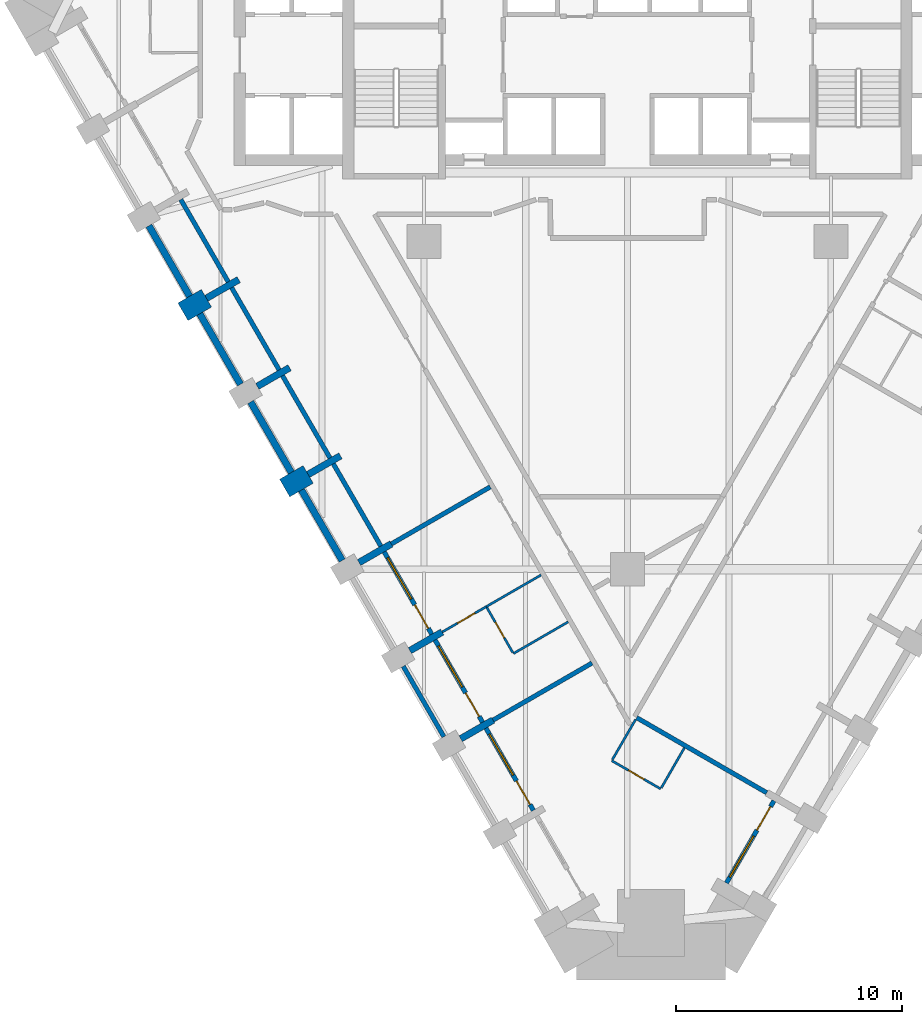
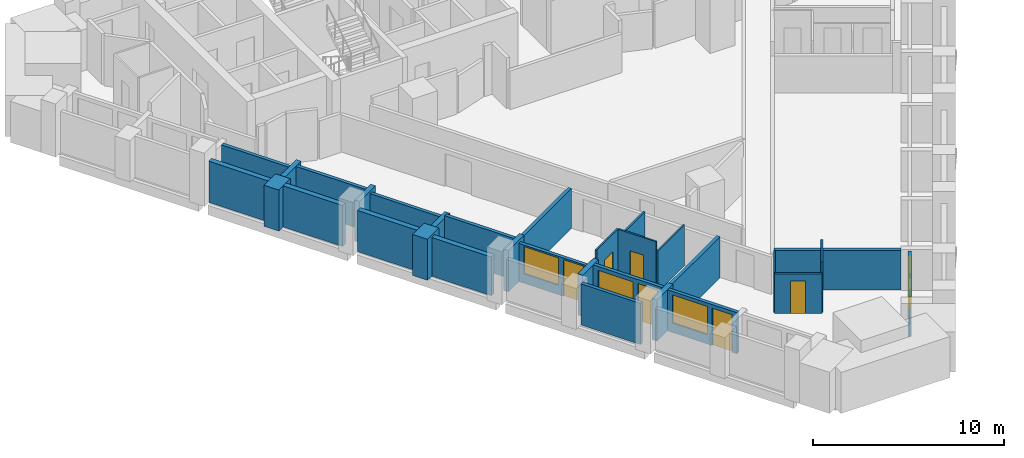
# One storey, part 3 of 10: 31 walls, 7 doors, 4 windows, 11 openings.
"""IFC4 building model written with IfcOpenShell, lengths in metres."""

from ifc_helpers import new_model, si_unit, direction, frame, frame_2d, origin, place, context, subcontext, project, spatial, rectangle, extrude, material, layer, layer_set, type_object, element, fill, save


model = new_model("IFC4")

# Units and contexts
model_context = context("Model", 3, precision=1e-05, world=origin(), true_north=direction((0.0, 1.0)))
body_context = subcontext(model_context, "Body", "Model", "MODEL_VIEW")
ifc_project = project(units=[si_unit("LENGTHUNIT", "METRE"), si_unit("AREAUNIT", "SQUARE_METRE"), si_unit("VOLUMEUNIT", "CUBIC_METRE"), si_unit("PLANEANGLEUNIT", "RADIAN"), si_unit("MASSUNIT", "GRAM", prefix="KILO")], contexts=[model_context])

# Site, building, storey
site_placement = place(None, origin())
site = spatial("IfcSite", under=ifc_project, at=site_placement, CompositionType="ELEMENT")
building_placement = place(site_placement, origin())
building = spatial("IfcBuilding", under=site, at=building_placement, Name="Calabash Gate Tower", CompositionType="ELEMENT")
storey_placement = place(building_placement, frame((0.0, 0.0, 102.0)))
storey = spatial("IfcBuildingStorey", under=building, at=storey_placement, Name="L22", CompositionType="ELEMENT", Elevation=102.0)

# Walls
ifc_material_1 = material(Name="Terracotta brick masonry, exposed face", Category="masonry")
ifc_layer_1 = layer(ifc_material_1, 1.199951171875)
ifc_layer_set_1 = layer_set([ifc_layer_1], Name="Brick end wall 1200")
wall_type_1 = type_object("IfcWallType", Name="Brick end wall 1200", PredefinedType="SOLIDWALL", material=ifc_layer_set_1)
wall_1_placement = place(storey_placement, frame((-19.659423828125, -0.613525390625, 0.0), z_axis=(0.0, 0.0, 1.0), x_axis=(0.866043267704, 0.499969057507, 0.0)))
element("IfcWall", 1, at=wall_1_placement, inside=storey, type_object=wall_type_1, Name="Brick pier S06 SW0.3", PredefinedType="SOLIDWALL", context=body_context, shape_type="SweptSolid", body=[
    extrude(rectangle(XDim=1.19970703125, YDim=0.89990234375, at=frame_2d((0.599853515625, 0.0))), origin(), (0.0, 0.0, 1.0), 2.6298828125),
])
wall_2_placement = place(storey_placement, frame((-14.120361328125, -7.807861328125, 0.0), z_axis=(0.0, 0.0, 1.0), x_axis=(-0.865955154139, -0.50012165622, 0.0)))
element("IfcWall", 2, at=wall_2_placement, inside=storey, type_object=wall_type_1, Name="Brick pier S06 SW0.5", PredefinedType="SOLIDWALL", context=body_context, shape_type="SweptSolid", body=[
    extrude(rectangle(XDim=1.199951171875, YDim=0.89990234375, at=frame_2d((0.60009765625, 0.0))), origin(), (0.0, 0.0, 1.0), 2.6298828125),
])
ifc_material_2 = material(Name="Terracotta brick masonry, exposed face", Category="masonry")
ifc_layer_2 = layer(ifc_material_2, 0.300048828125)
ifc_layer_set_2 = layer_set([ifc_layer_2], Name="Brick infill panel wall 300")
wall_type_2 = type_object("IfcWallType", Name="Brick infill panel wall 300", PredefinedType="SOLIDWALL", material=ifc_layer_set_2)
wall_3_placement = place(storey_placement, frame((-21.164794921875, 3.193359375, 0.0), z_axis=(0.0, 0.0, 1.0), x_axis=(0.50001992892, -0.866013897511, 0.0)))
element("IfcWall", 3, at=wall_3_placement, inside=storey, type_object=wall_type_2, Name="Brick panel S06 SW0.3", PredefinedType="SOLIDWALL", context=body_context, shape_type="SweptSolid", body=[
    extrude(rectangle(XDim=3.599365234375, YDim=0.300048828125, at=frame_2d((1.7998046875, 0.0))), origin(), (0.0, 0.0, 1.0), 2.6298828125),
])
wall_4_placement = place(storey_placement, frame((-18.914794921875, -0.703369140625, 0.0), z_axis=(0.0, 0.0, 1.0), x_axis=(0.499961193289, -0.866047807691, 0.0)))
element("IfcWall", 4, at=wall_4_placement, inside=storey, type_object=wall_type_2, Name="Brick panel S06 SW0.4", PredefinedType="SOLIDWALL", context=body_context, shape_type="SweptSolid", body=[
    extrude(rectangle(XDim=3.599853515625, YDim=0.300048828125, at=frame_2d((1.7998046875, 0.0))), origin(), (0.0, 0.0, 1.0), 2.6298828125),
])
wall_5_placement = place(storey_placement, frame((-16.664794921875, -4.600341796875, 0.0), z_axis=(0.0, 0.0, 1.0), x_axis=(0.499931829785, -0.866064758299, 0.0)))
element("IfcWall", 5, at=wall_5_placement, inside=storey, type_object=wall_type_2, Name="Brick panel S06 SW0.5", PredefinedType="SOLIDWALL", context=body_context, shape_type="SweptSolid", body=[
    extrude(rectangle(XDim=3.60009765625, YDim=0.300048828125, at=frame_2d((1.800048828125, 0.0))), origin(), (0.0, 0.0, 1.0), 2.6298828125),
])
wall_6_placement = place(storey_placement, frame((-14.414794921875, -8.49755859375, 0.0), z_axis=(0.0, 0.0, 1.0), x_axis=(0.499984792966, -0.866034183392, 0.0)))
element("IfcWall", 6, at=wall_6_placement, inside=storey, type_object=wall_type_2, Name="Brick panel S06 SW0.6", PredefinedType="SOLIDWALL", context=body_context, shape_type="SweptSolid", body=[
    extrude(rectangle(XDim=3.59814453125, YDim=0.300048828125, at=frame_2d((1.799072265625, 0.0))), origin(), (0.0, 0.0, 1.0), 2.4736328125),
])
ifc_material_3 = material(Name="Terracotta brick masonry, exposed face", Category="masonry")
ifc_layer_3 = layer(ifc_material_3, 0.300048828125)
ifc_layer_set_3 = layer_set([ifc_layer_3], Name="Brick loggia cheek wall 300")
wall_type_3 = type_object("IfcWallType", Name="Brick loggia cheek wall 300", PredefinedType="SOLIDWALL", material=ifc_layer_set_3)
for number, where, z_axis, x_axis, name in (
    (7, (-18.620361328125, -0.013671875, 0.0), (0.0, 0.0, 1.0), (0.866040211805, 0.499974350878, 0.0), "Loggia cheek S06 SW0.3"),
    (8, (-16.370361328125, -3.91064453125, 0.0), (0.0, 0.0, 1.0), (0.866040211805, 0.499974350878, 0.0), "Loggia cheek S06 SW0.4"),
):
    element("IfcWall", number, at=place(storey_placement, frame(where, z_axis=z_axis, x_axis=x_axis)), inside=storey, type_object=wall_type_3, Name=name, PredefinedType="SOLIDWALL", context=body_context, shape_type="SweptSolid", body=[
        extrude(rectangle(XDim=1.64990234375, YDim=0.300048828125, at=frame_2d((0.824951171875, 0.0))), origin(), (0.0, 0.0, 1.0), 2.64990234375),
    ])
wall_7_placement = place(storey_placement, frame((-14.120361328125, -7.807861328125, 0.0), z_axis=(0.0, 0.0, 1.0), x_axis=(0.866040211805, 0.499974350878, 0.0)))
element("IfcWall", 9, at=wall_7_placement, inside=storey, type_object=wall_type_3, Name="Loggia cheek S06 SW0.5", PredefinedType="SOLIDWALL", context=body_context, shape_type="SweptSolid", body=[
    extrude(rectangle(XDim=1.64990234375, YDim=0.300048828125, at=frame_2d((0.824951171875, 0.0))), origin(), (0.0, 0.0, 1.0), 2.4736328125),
])
wall_8_placement = place(storey_placement, frame((-11.869384765625, -11.70458984375, 0.0), z_axis=(0.0, 0.0, 1.0), x_axis=(0.865956268984, 0.500119725873, 0.0)))
element("IfcWall", 10, at=wall_8_placement, inside=storey, type_object=wall_type_3, Name="Loggia cheek S06 SW0.6", PredefinedType="SOLIDWALL", context=body_context, shape_type="SweptSolid", body=[
    extrude(rectangle(XDim=1.64892578125, YDim=0.300048828125, at=frame_2d((0.824462890625, 0.0))), origin(), (0.0, 0.0, 1.0), 2.64990234375),
])
for number, where, z_axis, x_axis, name in (
    (11, (-9.620361328125, -15.60205078125, 0.0), (0.0, 0.0, 1.0), (0.866040211805, 0.499974350878, 0.0), "Loggia cheek S06 SW0.7"),
    (12, (-7.370361328125, -19.499267578125, 0.0), (0.0, 0.0, 1.0), (0.866040211805, 0.499974350878, 0.0), "Loggia cheek S06 SW0.8"),
):
    element("IfcWall", number, at=place(storey_placement, frame(where, z_axis=z_axis, x_axis=x_axis)), inside=storey, type_object=wall_type_3, Name=name, PredefinedType="SOLIDWALL", context=body_context, shape_type="SweptSolid", body=[
        extrude(rectangle(XDim=1.64990234375, YDim=0.300048828125, at=frame_2d((0.824951171875, 0.0))), origin(), (0.0, 0.0, 1.0), 2.64990234375),
    ])
ifc_material_4 = material(Name="Gypsum board on steel studs, mineral wool", Category="steel")
ifc_layer_4 = layer(ifc_material_4, 0.10009765625)
ifc_layer_set_4 = layer_set([ifc_layer_4], Name="Partition 100 gypsum board")
wall_type_4 = type_object("IfcWallType", Name="Partition 100 gypsum board", PredefinedType="PARTITIONING", material=ifc_layer_set_4)
wall_9_placement = place(storey_placement, frame((1.499755859375, -21.675048828125, 0.0), z_axis=(0.0, 0.0, 1.0), x_axis=(0.499303169309, 0.866427345551, 0.0)))
element("IfcWall", 13, at=wall_9_placement, inside=storey, type_object=wall_type_4, Name="Partition", PredefinedType="PARTITIONING", context=body_context, shape_type="SweptSolid", body=[
    extrude(rectangle(XDim=2.05029296875, YDim=0.10009765625, at=frame_2d((1.025146484375, 0.0))), origin(), (0.0, 0.0, 1.0), 3.22998046875),
])

# Wall, opening, door
wall_10_placement = place(storey_placement, frame((-0.690185546875, -20.46826171875, 0.0), z_axis=(0.0, 0.0, 1.0), x_axis=(0.866022959057, -0.500004234368, 0.0)))
wall_10 = element("IfcWall", 14, at=wall_10_placement, inside=storey, type_object=wall_type_4, Name="Partition", PredefinedType="PARTITIONING", context=body_context, shape_type="SweptSolid", body=[
    extrude(rectangle(XDim=2.5, YDim=0.10009765625, at=frame_2d((1.25, 0.0))), origin(), (0.0, 0.0, 1.0), 2.552001953125),
])
opening_1_placement = place(wall_10_placement, frame((0.85009765625, 0.0, 0.0)))
opening_1 = element("IfcOpeningElement", 15, at=opening_1_placement, cuts=wall_10, Name="Opening 22-24-011", PredefinedType="OPENING", context=body_context, shape_type="SweptSolid", body=[
    extrude(rectangle(XDim=0.800048828125, YDim=2.10009765625, at=frame_2d((0.39990234375, 1.050048828125))), frame((0.0, 0.06005859375, 0.0), z_axis=(0.0, -1.0, 0.0), x_axis=(1.0, 0.0, 0.0)), (0.0, 0.0, 1.0), 0.1201171875),
])
ifc_material_5 = material(Name="Painted timber door", Category="wood")
door_type_1 = type_object("IfcDoorType", Name="GD5 En-suite door 800x2100", OperationType="NOTDEFINED", PredefinedType="DOOR", material=ifc_material_5)
door_1_placement = place(opening_1_placement, origin())
door_1 = element("IfcDoor", 16, at=door_1_placement, inside=storey, type_object=door_type_1, Name="En-suite door", OperationType="SINGLE_SWING_RIGHT", OverallHeight=2.10009765625, OverallWidth=0.800048828125, PredefinedType="DOOR", context=body_context, shape_type="SweptSolid", body=[
    extrude(rectangle(XDim=0.800048828125, YDim=2.10009765625, at=frame_2d((0.39990234375, 1.050048828125))), frame((0.0, 0.02490234375, 0.0), z_axis=(0.0, -1.0, 0.0), x_axis=(1.0, 0.0, 0.0)), (0.0, 0.0, 1.0), 0.050048828125),
])
fill(opening_1, door_1)

# Walls
wall_11_placement = place(storey_placement, frame((-0.665283203125, -20.425048828125, 0.0), z_axis=(0.0, 0.0, 1.0), x_axis=(0.500646589026, 0.865651773461, 0.0)))
element("IfcWall", 17, at=wall_11_placement, inside=storey, type_object=wall_type_4, Name="Partition", PredefinedType="PARTITIONING", context=body_context, shape_type="SweptSolid", body=[
    extrude(rectangle(XDim=2.050048828125, YDim=0.10009765625, at=frame_2d((1.02490234375, 0.0))), origin(), (0.0, 0.0, 1.0), 2.552001953125),
])
wall_12_placement = place(storey_placement, frame((-5.042724609375, -15.730712890625, 0.0), z_axis=(0.0, 0.0, 1.0), x_axis=(0.865682875764, 0.500592807188, 0.0)))
element("IfcWall", 18, at=wall_12_placement, inside=storey, type_object=wall_type_4, Name="Partition", PredefinedType="PARTITIONING", context=body_context, shape_type="SweptSolid", body=[
    extrude(rectangle(XDim=2.7998046875, YDim=0.10009765625, at=frame_2d((1.39990234375, 0.0))), origin(), (0.0, 0.0, 1.0), 2.6279296875),
])

# Wall, opening, door
wall_13_placement = place(storey_placement, frame((-6.21533203125, -13.6962890625, 0.0), z_axis=(0.0, 0.0, 1.0), x_axis=(0.499418922955, -0.86636062895, 0.0)))
wall_13 = element("IfcWall", 19, at=wall_13_placement, inside=storey, type_object=wall_type_4, Name="Partition", PredefinedType="PARTITIONING", context=body_context, shape_type="SweptSolid", body=[
    extrude(rectangle(XDim=2.298095703125, YDim=0.10009765625, at=frame_2d((1.14892578125, 0.0))), origin(), (0.0, 0.0, 1.0), 3.22998046875),
])
opening_2_placement = place(wall_13_placement, frame((0.747802734375, 0.0, 0.0)))
opening_2 = element("IfcOpeningElement", 20, at=opening_2_placement, cuts=wall_13, Name="Opening 22-24-004", PredefinedType="OPENING", context=body_context, shape_type="SweptSolid", body=[
    extrude(rectangle(XDim=0.800048828125, YDim=2.10009765625, at=frame_2d((0.39990234375, 1.050048828125))), frame((0.0, 0.06005859375, 0.0), z_axis=(0.0, -1.0, 0.0), x_axis=(1.0, 0.0, 0.0)), (0.0, 0.0, 1.0), 0.1201171875),
])
door_2_placement = place(opening_2_placement, origin())
door_2 = element("IfcDoor", 21, at=door_2_placement, inside=storey, type_object=door_type_1, Name="En-suite door", OperationType="SINGLE_SWING_RIGHT", OverallHeight=2.10009765625, OverallWidth=0.800048828125, PredefinedType="DOOR", context=body_context, shape_type="SweptSolid", body=[
    extrude(rectangle(XDim=0.800048828125, YDim=2.10009765625, at=frame_2d((0.39990234375, 1.050048828125))), frame((0.0, 0.02490234375, 0.0), z_axis=(0.0, -1.0, 0.0), x_axis=(1.0, 0.0, 0.0)), (0.0, 0.0, 1.0), 0.050048828125),
])
fill(opening_2, door_2)

wall_14_placement = place(storey_placement, frame((-8.191162109375, -14.77734375, 0.0), z_axis=(0.0, 0.0, 1.0), x_axis=(0.866427577834, 0.499302766234, 0.0)))
wall_14 = element("IfcWall", 22, at=wall_14_placement, inside=storey, type_object=wall_type_4, Name="Partition", PredefinedType="PARTITIONING", context=body_context, shape_type="SweptSolid", body=[
    extrude(rectangle(XDim=2.249755859375, YDim=0.10009765625, at=frame_2d((1.125, 0.0))), origin(), (0.0, 0.0, 1.0), 3.22998046875),
])
opening_3_placement = place(wall_14_placement, frame((0.780029296875, 0.0, 0.0)))
opening_3 = element("IfcOpeningElement", 23, at=opening_3_placement, cuts=wall_14, Name="Opening 22-24-003", PredefinedType="OPENING", context=body_context, shape_type="SweptSolid", body=[
    extrude(rectangle(XDim=0.89990234375, YDim=2.10009765625, at=frame_2d((0.449951171875, 1.050048828125))), frame((0.0, 0.06005859375, 0.0), z_axis=(0.0, -1.0, 0.0), x_axis=(1.0, 0.0, 0.0)), (0.0, 0.0, 1.0), 0.1201171875),
])
ifc_material_6 = material(Name="Painted timber door", Category="wood")
door_type_2 = type_object("IfcDoorType", Name="GD7 Suite room door 900x2100", OperationType="NOTDEFINED", PredefinedType="DOOR", material=ifc_material_6)
door_3_placement = place(opening_3_placement, origin())
door_3 = element("IfcDoor", 24, at=door_3_placement, inside=storey, type_object=door_type_2, Name="Suite room door", OperationType="SINGLE_SWING_RIGHT", OverallHeight=2.10009765625, OverallWidth=0.89990234375, PredefinedType="DOOR", context=body_context, shape_type="SweptSolid", body=[
    extrude(rectangle(XDim=0.89990234375, YDim=2.10009765625, at=frame_2d((0.449951171875, 1.050048828125))), frame((0.0, 0.02490234375, 0.0), z_axis=(0.0, -1.0, 0.0), x_axis=(1.0, 0.0, 0.0)), (0.0, 0.0, 1.0), 0.050048828125),
])
fill(opening_3, door_3)

# Walls
wall_15_placement = place(storey_placement, frame((-6.240234375, -13.653076171875, 0.0), z_axis=(0.0, 0.0, 1.0), x_axis=(0.865995230276, 0.500052258409, 0.0)))
element("IfcWall", 25, at=wall_15_placement, inside=storey, type_object=wall_type_4, Name="Partition", PredefinedType="PARTITIONING", context=body_context, shape_type="SweptSolid", body=[
    extrude(rectangle(XDim=2.798095703125, YDim=0.10009765625, at=frame_2d((1.39892578125, 0.0))), origin(), (0.0, 0.0, 1.0), 2.6279296875),
])
ifc_material_7 = material(Name="Gypsum board on steel studs, mineral wool", Category="steel")
ifc_layer_5 = layer(ifc_material_7, 0.199951171875)
ifc_layer_set_5 = layer_set([ifc_layer_5], Name="Partition 200 gypsum board EI 60")
wall_type_5 = type_object("IfcWallType", Name="Partition 200 gypsum board EI 60", PredefinedType="PARTITIONING", material=ifc_layer_set_5)
wall_16_placement = place(storey_placement, frame((-5.941162109375, -18.674560546875, 0.0), z_axis=(0.0, 0.0, 1.0), x_axis=(0.866176731722, 0.499737800674, 0.0)))
element("IfcWall", 26, at=wall_16_placement, inside=storey, type_object=wall_type_5, Name="Partition", PredefinedType="PARTITIONING", context=body_context, shape_type="SweptSolid", body=[
    extrude(rectangle(XDim=5.049560546875, YDim=0.199951171875, at=frame_2d((2.52490234375, 0.0))), origin(), (0.0, 0.0, 1.0), 2.6279296875),
])
wall_17_placement = place(storey_placement, frame((0.408935546875, -18.564208984375, 0.0), z_axis=(0.0, 0.0, 1.0), x_axis=(0.866008881804, -0.500028615818, 0.0)))
element("IfcWall", 27, at=wall_17_placement, inside=storey, type_object=wall_type_5, Name="Partition", PredefinedType="PARTITIONING", context=body_context, shape_type="SweptSolid", body=[
    extrude(rectangle(XDim=6.6494140625, YDim=0.199951171875, at=frame_2d((3.32470703125, 0.0))), origin(), (0.0, 0.0, 1.0), 2.552001953125),
])
wall_18_placement = place(storey_placement, frame((-10.441162109375, -10.880126953125, 0.0), z_axis=(0.0, 0.0, 1.0), x_axis=(0.866188805601, 0.49971687289, 0.0)))
element("IfcWall", 28, at=wall_18_placement, inside=storey, type_object=wall_type_5, Name="Partition", PredefinedType="PARTITIONING", context=body_context, shape_type="SweptSolid", body=[
    extrude(rectangle(XDim=5.0498046875, YDim=0.199951171875, at=frame_2d((2.52490234375, 0.0))), origin(), (0.0, 0.0, 1.0), 2.552001953125),
])
ifc_material_8 = material(Name="Terracotta brick masonry, perforated", Category="masonry")
ifc_layer_6 = layer(ifc_material_8, 0.199951171875)
ifc_layer_set_6 = layer_set([ifc_layer_6], Name="Terracotta jaali screen B")
wall_type_6 = type_object("IfcWallType", Name="Terracotta jaali screen B", PredefinedType="SOLIDWALL", material=ifc_layer_set_6)
wall_19_placement = place(storey_placement, frame((-9.914794921875, -16.291748046875, 0.0), z_axis=(0.0, 0.0, 1.0), x_axis=(0.499961193289, -0.866047807691, 0.0)))
element("IfcWall", 29, at=wall_19_placement, inside=storey, type_object=wall_type_6, Name="SCREEN B S06 SW0.8", PredefinedType="SOLIDWALL", context=body_context, shape_type="SweptSolid", body=[
    extrude(rectangle(XDim=3.599853515625, YDim=0.199951171875, at=frame_2d((1.7998046875, 0.0))), origin(), (0.0, 0.0, 1.0), 2.6298828125),
])
ifc_material_9 = material(Name="Aluminium framed window wall with insulated spandrel", Category="aluminium")
ifc_layer_7 = layer(ifc_material_9, 0.199951171875)
ifc_layer_set_7 = layer_set([ifc_layer_7], Name="Window wall 200")
wall_type_7 = type_object("IfcWallType", Name="Window wall 200", PredefinedType="ELEMENTEDWALL", material=ifc_layer_set_7)
wall_20_placement = place(storey_placement, frame((-19.756103515625, 4.353515625, 0.0), z_axis=(0.0, 0.0, 1.0), x_axis=(0.500027713859, -0.866009402589, 0.0)))
element("IfcWall", 30, at=wall_20_placement, inside=storey, type_object=wall_type_7, Name="Window wall S06 SW0.3", PredefinedType="ELEMENTEDWALL", context=body_context, shape_type="SweptSolid", body=[
    extrude(rectangle(XDim=4.199951171875, YDim=0.199951171875, at=frame_2d((2.10009765625, 0.0))), origin(), (0.0, 0.0, 1.0), 2.4501953125),
])
wall_21_placement = place(storey_placement, frame((-17.506103515625, 0.45654296875, 0.0), z_axis=(0.0, 0.0, 1.0), x_axis=(0.500002543286, -0.866023935413, 0.0)))
element("IfcWall", 31, at=wall_21_placement, inside=storey, type_object=wall_type_7, Name="Window wall S06 SW0.4", PredefinedType="ELEMENTEDWALL", context=body_context, shape_type="SweptSolid", body=[
    extrude(rectangle(XDim=4.2001953125, YDim=0.199951171875, at=frame_2d((2.10009765625, 0.0))), origin(), (0.0, 0.0, 1.0), 2.64990234375),
])
wall_22_placement = place(storey_placement, frame((-15.256103515625, -3.440673828125, 0.0), z_axis=(0.0, 0.0, 1.0), x_axis=(0.500027713859, -0.866009402589, 0.0)))
element("IfcWall", 32, at=wall_22_placement, inside=storey, type_object=wall_type_7, Name="Window wall S06 SW0.5", PredefinedType="ELEMENTEDWALL", context=body_context, shape_type="SweptSolid", body=[
    extrude(rectangle(XDim=4.199951171875, YDim=0.199951171875, at=frame_2d((2.10009765625, 0.0))), origin(), (0.0, 0.0, 1.0), 2.4736328125),
])
wall_23_placement = place(storey_placement, frame((-13.006103515625, -7.337646484375, 0.0), z_axis=(0.0, 0.0, 1.0), x_axis=(0.500002543286, -0.866023935413, 0.0)))
element("IfcWall", 33, at=wall_23_placement, inside=storey, type_object=wall_type_7, Name="Window wall S06 SW0.6", PredefinedType="ELEMENTEDWALL", context=body_context, shape_type="SweptSolid", body=[
    extrude(rectangle(XDim=4.2001953125, YDim=0.199951171875, at=frame_2d((2.10009765625, 0.0))), origin(), (0.0, 0.0, 1.0), 2.64990234375),
])

# Wall, openings, door, window
wall_24_placement = place(storey_placement, frame((-10.756103515625, -11.23486328125, 0.0), z_axis=(0.0, 0.0, 1.0), x_axis=(0.500027713859, -0.866009402589, 0.0)))
wall_24 = element("IfcWall", 34, at=wall_24_placement, inside=storey, type_object=wall_type_7, Name="Window wall S06 SW0.7", PredefinedType="ELEMENTEDWALL", context=body_context, shape_type="SweptSolid", body=[
    extrude(rectangle(XDim=4.199951171875, YDim=0.199951171875, at=frame_2d((2.10009765625, 0.0))), origin(), (0.0, 0.0, 1.0), 2.4501953125),
])
opening_4_placement = place(wall_24_placement, frame((0.300048828125, 0.0, 0.60009765625)))
opening_4 = element("IfcOpeningElement", 35, at=opening_4_placement, cuts=wall_24, Name="Opening HW1L-1750", PredefinedType="OPENING", context=body_context, shape_type="SweptSolid", body=[
    extrude(rectangle(XDim=2.10009765625, YDim=1.75, at=frame_2d((1.050048828125, 0.875))), frame((0.0, 0.10986328125, 0.0), z_axis=(0.0, -1.0, 0.0), x_axis=(1.0, 0.0, 0.0)), (0.0, 0.0, 1.0), 0.219970703125),
])
opening_5_placement = place(wall_24_placement, frame((2.699951171875, 0.0, 0.0)))
opening_5 = element("IfcOpeningElement", 36, at=opening_5_placement, cuts=wall_24, Name="Opening H6-023", PredefinedType="OPENING", context=body_context, shape_type="SweptSolid", body=[
    extrude(rectangle(XDim=1.199951171875, YDim=2.35009765625, at=frame_2d((0.60009765625, 1.175048828125))), frame((0.0, 0.10986328125, 0.0), z_axis=(0.0, -1.0, 0.0), x_axis=(1.0, 0.0, 0.0)), (0.0, 0.0, 1.0), 0.219970703125),
])
ifc_material_10 = material(Name="Anodised aluminium frame, bronze finish, impact-rated laminated clear glazing", Category="aluminium")
door_type_3 = type_object("IfcDoorType", Name="Loggia door DH1L-2350 1200x2350", OperationType="SLIDING_TO_LEFT", PredefinedType="DOOR", material=ifc_material_10)
door_4_placement = place(opening_5_placement, origin())
door_4 = element("IfcDoor", 37, at=door_4_placement, inside=storey, type_object=door_type_3, Name="Loggia door S06 SW0.7", OperationType="SINGLE_SWING_LEFT", OverallHeight=2.35009765625, OverallWidth=1.199951171875, PredefinedType="DOOR", context=body_context, shape_type="SweptSolid", body=[
    extrude(rectangle(XDim=1.199951171875, YDim=2.35009765625, at=frame_2d((0.60009765625, 1.175048828125))), frame((0.0, 0.02490234375, 0.0), z_axis=(0.0, -1.0, 0.0), x_axis=(1.0, 0.0, 0.0)), (0.0, 0.0, 1.0), 0.050048828125),
])
fill(opening_5, door_4)
ifc_material_11 = material(Name="Anodised aluminium frame, bronze finish, impact-rated laminated clear glazing", Category="aluminium")
window_type_1 = type_object("IfcWindowType", Name="Window HW1L 2100x1750", PartitioningType="DOUBLE_PANEL_VERTICAL", PredefinedType="WINDOW", material=ifc_material_11)
window_1_placement = place(opening_4_placement, origin())
window_1 = element("IfcWindow", 38, at=window_1_placement, inside=storey, type_object=window_type_1, Name="Window HW1 S06 SW0.7", OverallHeight=1.75, OverallWidth=2.10009765625, PartitioningType="SINGLE_PANEL", PredefinedType="WINDOW", context=body_context, shape_type="SweptSolid", body=[
    extrude(rectangle(XDim=2.10009765625, YDim=1.75, at=frame_2d((1.050048828125, 0.875))), frame((0.0, 0.030029296875, 0.0), z_axis=(0.0, -1.0, 0.0), x_axis=(1.0, 0.0, 0.0)), (0.0, 0.0, 1.0), 0.06005859375),
])
fill(opening_4, window_1)

wall_25_placement = place(storey_placement, frame((-8.506103515625, -15.132080078125, 0.0), z_axis=(0.0, 0.0, 1.0), x_axis=(0.500027713859, -0.866009402589, 0.0)))
wall_25 = element("IfcWall", 39, at=wall_25_placement, inside=storey, type_object=wall_type_7, Name="Window wall S06 SW0.8", PredefinedType="ELEMENTEDWALL", context=body_context, shape_type="SweptSolid", body=[
    extrude(rectangle(XDim=4.199951171875, YDim=0.199951171875, at=frame_2d((2.10009765625, 0.0))), origin(), (0.0, 0.0, 1.0), 2.64990234375),
])
opening_6_placement = place(wall_25_placement, frame((0.300048828125, 0.0, 0.60009765625)))
opening_6 = element("IfcOpeningElement", 40, at=opening_6_placement, cuts=wall_25, Name="Opening HW1", PredefinedType="OPENING", context=body_context, shape_type="SweptSolid", body=[
    extrude(rectangle(XDim=2.10009765625, YDim=1.800048828125, at=frame_2d((1.050048828125, 0.89990234375))), frame((0.0, 0.10986328125, 0.0), z_axis=(0.0, -1.0, 0.0), x_axis=(1.0, 0.0, 0.0)), (0.0, 0.0, 1.0), 0.219970703125),
])
opening_7_placement = place(wall_25_placement, frame((2.699951171875, 0.0, 0.0)))
opening_7 = element("IfcOpeningElement", 41, at=opening_7_placement, cuts=wall_25, Name="Opening H6-024", PredefinedType="OPENING", context=body_context, shape_type="SweptSolid", body=[
    extrude(rectangle(XDim=1.199951171875, YDim=2.39990234375, at=frame_2d((0.60009765625, 1.199951171875))), frame((0.0, 0.10986328125, 0.0), z_axis=(0.0, -1.0, 0.0), x_axis=(1.0, 0.0, 0.0)), (0.0, 0.0, 1.0), 0.219970703125),
])
ifc_material_12 = material(Name="Anodised aluminium frame, bronze finish, impact-rated laminated clear glazing", Category="aluminium")
door_type_4 = type_object("IfcDoorType", Name="Loggia door DH1 1200x2400", OperationType="SLIDING_TO_LEFT", PredefinedType="DOOR", material=ifc_material_12)
door_5_placement = place(opening_7_placement, origin())
door_5 = element("IfcDoor", 42, at=door_5_placement, inside=storey, type_object=door_type_4, Name="Loggia door S06 SW0.8", OperationType="SINGLE_SWING_LEFT", OverallHeight=2.39990234375, OverallWidth=1.199951171875, PredefinedType="DOOR", context=body_context, shape_type="SweptSolid", body=[
    extrude(rectangle(XDim=1.199951171875, YDim=2.39990234375, at=frame_2d((0.60009765625, 1.199951171875))), frame((0.0, 0.02490234375, 0.0), z_axis=(0.0, -1.0, 0.0), x_axis=(1.0, 0.0, 0.0)), (0.0, 0.0, 1.0), 0.050048828125),
])
fill(opening_7, door_5)
ifc_material_13 = material(Name="Anodised aluminium frame, bronze finish, impact-rated laminated clear glazing", Category="aluminium")
window_type_2 = type_object("IfcWindowType", Name="Window HW1 2100x1800", PartitioningType="DOUBLE_PANEL_VERTICAL", PredefinedType="WINDOW", material=ifc_material_13)
window_2_placement = place(opening_6_placement, origin())
window_2 = element("IfcWindow", 43, at=window_2_placement, inside=storey, type_object=window_type_2, Name="Window HW1 S06 SW0.8", OverallHeight=1.800048828125, OverallWidth=2.10009765625, PartitioningType="SINGLE_PANEL", PredefinedType="WINDOW", context=body_context, shape_type="SweptSolid", body=[
    extrude(rectangle(XDim=2.10009765625, YDim=1.800048828125, at=frame_2d((1.050048828125, 0.89990234375))), frame((0.0, 0.030029296875, 0.0), z_axis=(0.0, -1.0, 0.0), x_axis=(1.0, 0.0, 0.0)), (0.0, 0.0, 1.0), 0.06005859375),
])
fill(opening_6, window_2)

wall_26_placement = place(storey_placement, frame((-6.256103515625, -19.029052734375, 0.0), z_axis=(0.0, 0.0, 1.0), x_axis=(0.500002543286, -0.866023935413, 0.0)))
wall_26 = element("IfcWall", 44, at=wall_26_placement, inside=storey, type_object=wall_type_7, Name="Window wall S06 SW0.9", PredefinedType="ELEMENTEDWALL", context=body_context, shape_type="SweptSolid", body=[
    extrude(rectangle(XDim=4.2001953125, YDim=0.199951171875, at=frame_2d((2.10009765625, 0.0))), origin(), (0.0, 0.0, 1.0), 2.6279296875),
])
opening_8_placement = place(wall_26_placement, frame((0.300048828125, 0.0, 0.60009765625)))
opening_8 = element("IfcOpeningElement", 45, at=opening_8_placement, cuts=wall_26, Name="Opening HW1", PredefinedType="OPENING", context=body_context, shape_type="SweptSolid", body=[
    extrude(rectangle(XDim=2.10009765625, YDim=1.800048828125, at=frame_2d((1.050048828125, 0.89990234375))), frame((0.0, 0.10986328125, 0.0), z_axis=(0.0, -1.0, 0.0), x_axis=(1.0, 0.0, 0.0)), (0.0, 0.0, 1.0), 0.219970703125),
])
opening_9_placement = place(wall_26_placement, frame((2.699951171875, 0.0, 0.0)))
opening_9 = element("IfcOpeningElement", 46, at=opening_9_placement, cuts=wall_26, Name="Opening H6-025", PredefinedType="OPENING", context=body_context, shape_type="SweptSolid", body=[
    extrude(rectangle(XDim=1.199951171875, YDim=2.39990234375, at=frame_2d((0.60009765625, 1.199951171875))), frame((0.0, 0.10986328125, 0.0), z_axis=(0.0, -1.0, 0.0), x_axis=(1.0, 0.0, 0.0)), (0.0, 0.0, 1.0), 0.219970703125),
])
door_6_placement = place(opening_9_placement, origin())
door_6 = element("IfcDoor", 47, at=door_6_placement, inside=storey, type_object=door_type_4, Name="Loggia door S06 SW0.9", OperationType="SINGLE_SWING_LEFT", OverallHeight=2.39990234375, OverallWidth=1.199951171875, PredefinedType="DOOR", context=body_context, shape_type="SweptSolid", body=[
    extrude(rectangle(XDim=1.199951171875, YDim=2.39990234375, at=frame_2d((0.60009765625, 1.199951171875))), frame((0.0, 0.02490234375, 0.0), z_axis=(0.0, -1.0, 0.0), x_axis=(1.0, 0.0, 0.0)), (0.0, 0.0, 1.0), 0.050048828125),
])
fill(opening_9, door_6)
window_3_placement = place(opening_8_placement, origin())
window_3 = element("IfcWindow", 48, at=window_3_placement, inside=storey, type_object=window_type_2, Name="Window HW1 S06 SW0.9", OverallHeight=1.800048828125, OverallWidth=2.10009765625, PartitioningType="SINGLE_PANEL", PredefinedType="WINDOW", context=body_context, shape_type="SweptSolid", body=[
    extrude(rectangle(XDim=2.10009765625, YDim=1.800048828125, at=frame_2d((1.050048828125, 0.89990234375))), frame((0.0, 0.030029296875, 0.0), z_axis=(0.0, -1.0, 0.0), x_axis=(1.0, 0.0, 0.0)), (0.0, 0.0, 1.0), 0.06005859375),
])
fill(opening_8, window_3)

wall_27_placement = place(storey_placement, frame((4.38330078125, -25.879638671875, 0.0), z_axis=(0.0, 0.0, 1.0), x_axis=(0.500002543286, 0.866023935413, 0.0)))
wall_27 = element("IfcWall", 49, at=wall_27_placement, inside=storey, type_object=wall_type_7, Name="Window wall S06 SE2.1", PredefinedType="ELEMENTEDWALL", context=body_context, shape_type="SweptSolid", body=[
    extrude(rectangle(XDim=4.2001953125, YDim=0.199951171875, at=frame_2d((2.10009765625, 0.0))), origin(), (0.0, 0.0, 1.0), 2.552001953125),
])
opening_10_placement = place(wall_27_placement, frame((0.300048828125, 0.0, 0.60009765625)))
opening_10 = element("IfcOpeningElement", 50, at=opening_10_placement, cuts=wall_27, Name="Opening HW1", PredefinedType="OPENING", context=body_context, shape_type="SweptSolid", body=[
    extrude(rectangle(XDim=2.10009765625, YDim=1.800048828125, at=frame_2d((1.050048828125, 0.89990234375))), frame((0.0, 0.10986328125, 0.0), z_axis=(0.0, -1.0, 0.0), x_axis=(1.0, 0.0, 0.0)), (0.0, 0.0, 1.0), 0.219970703125),
])
opening_11_placement = place(wall_27_placement, frame((2.699951171875, 0.0, 0.0)))
opening_11 = element("IfcOpeningElement", 51, at=opening_11_placement, cuts=wall_27, Name="Opening H6-018", PredefinedType="OPENING", context=body_context, shape_type="SweptSolid", body=[
    extrude(rectangle(XDim=1.199951171875, YDim=2.39990234375, at=frame_2d((0.60009765625, 1.199951171875))), frame((0.0, 0.10986328125, 0.0), z_axis=(0.0, -1.0, 0.0), x_axis=(1.0, 0.0, 0.0)), (0.0, 0.0, 1.0), 0.219970703125),
])
door_7_placement = place(opening_11_placement, origin())
door_7 = element("IfcDoor", 52, at=door_7_placement, inside=storey, type_object=door_type_4, Name="Loggia door S06 SE2.1", OperationType="SINGLE_SWING_LEFT", OverallHeight=2.39990234375, OverallWidth=1.199951171875, PredefinedType="DOOR", context=body_context, shape_type="SweptSolid", body=[
    extrude(rectangle(XDim=1.199951171875, YDim=2.39990234375, at=frame_2d((0.60009765625, 1.199951171875))), frame((0.0, 0.02490234375, 0.0), z_axis=(0.0, -1.0, 0.0), x_axis=(1.0, 0.0, 0.0)), (0.0, 0.0, 1.0), 0.050048828125),
])
fill(opening_11, door_7)
window_4_placement = place(opening_10_placement, origin())
window_4 = element("IfcWindow", 53, at=window_4_placement, inside=storey, type_object=window_type_2, Name="Window HW1 S06 SE2.1", OverallHeight=1.800048828125, OverallWidth=2.10009765625, PartitioningType="SINGLE_PANEL", PredefinedType="WINDOW", context=body_context, shape_type="SweptSolid", body=[
    extrude(rectangle(XDim=2.10009765625, YDim=1.800048828125, at=frame_2d((1.050048828125, 0.89990234375))), frame((0.0, 0.030029296875, 0.0), z_axis=(0.0, -1.0, 0.0), x_axis=(1.0, 0.0, 0.0)), (0.0, 0.0, 1.0), 0.06005859375),
])
fill(opening_10, window_4)

save(model, "model.ifc")
